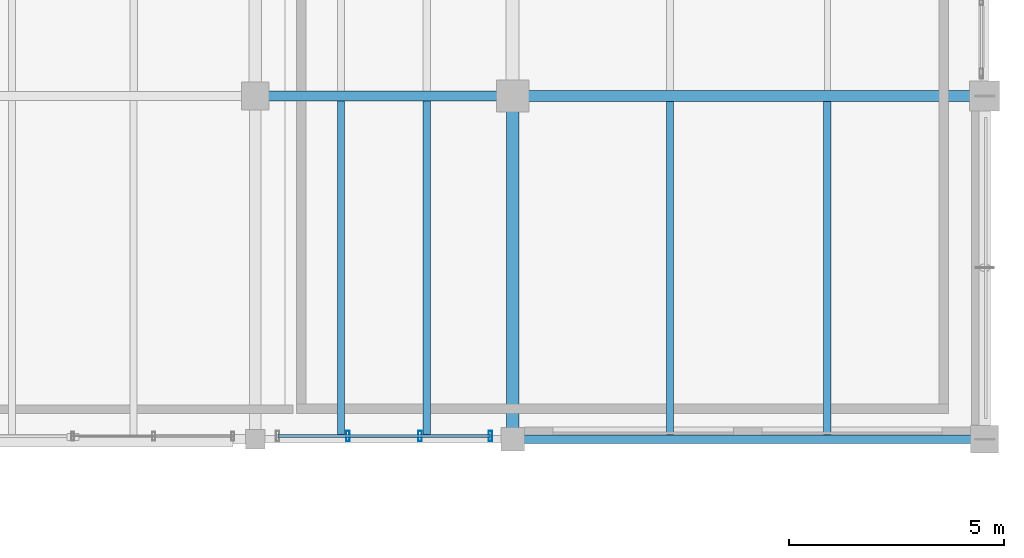
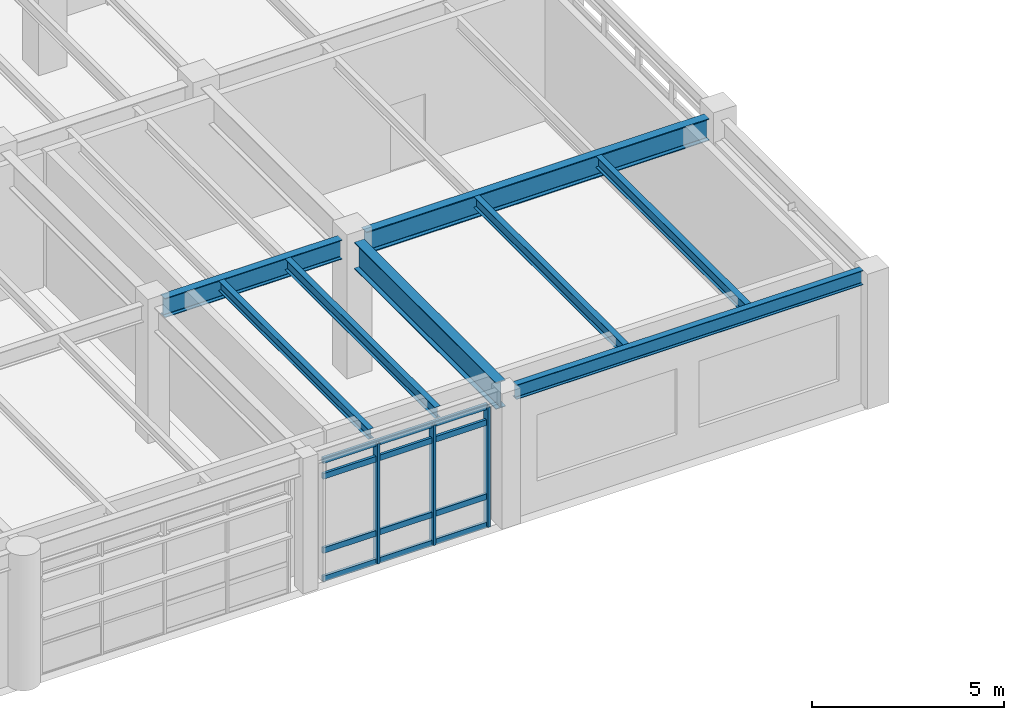
# One storey, part 115 of 168: 8 beams, 7 members, 1 element without a shape of its own.
"""IFC4 building model written with IfcOpenShell, lengths in metres."""

from ifc_helpers import new_model, si_unit, direction, frame, origin, origin_2d, place, context, subcontext, project, spatial, hollow_rectangle, i_section, extrude, material, material_profile, profile_set, type_object, element, aggregate, save


model = new_model("IFC4")

# Units and contexts
model_context = context("Model", 3, precision=1e-05, world=origin(), true_north=direction((0.0, 1.0)))
body_context = subcontext(model_context, "Body", "Model", "MODEL_VIEW")
ifc_project = project(units=[si_unit("LENGTHUNIT", "METRE"), si_unit("AREAUNIT", "SQUARE_METRE"), si_unit("VOLUMEUNIT", "CUBIC_METRE"), si_unit("PLANEANGLEUNIT", "RADIAN"), si_unit("MASSUNIT", "GRAM", prefix="KILO"), si_unit("THERMODYNAMICTEMPERATUREUNIT", "KELVIN"), si_unit("POWERUNIT", "WATT")], contexts=[model_context])

# Site, building, storey
site_placement = place(None, origin())
site = spatial("IfcSite", under=ifc_project, at=site_placement, CompositionType="ELEMENT")
building_placement = place(site_placement, origin())
building = spatial("IfcBuilding", under=site, at=building_placement, Name="Tepalcoro Natatorium and Aquatics Centre", CompositionType="ELEMENT")
storey_placement = place(building_placement, frame((0.0, 0.0, 10.199951171875)))
storey = spatial("IfcBuildingStorey", under=building, at=storey_placement, Name="L02", CompositionType="ELEMENT", Elevation=10.199951171875)

# Beams
ifc_material_1 = material(Name="Steel ASTM A992 Grade 50 (Fy 345 MPa)", Category="steel")
ifc_material_profile_1 = material_profile(ifc_material_1, i_section(OverallWidth=0.22998046875, OverallDepth=0.616943359375, WebThickness=0.012939453125, FlangeThickness=0.02197265625, FilletRadius=0.013916015625, at=origin_2d()), Name="W24X94")
ifc_profile_set_1 = profile_set([ifc_material_profile_1], Name="Steel ASTM A992 Grade 50 (Fy 345 MPa)")
beam_type_1 = type_object("IfcBeamType", Name="BM_W24x94", PredefinedType="BEAM", material=ifc_profile_set_1)
beam_1_placement = place(storey_placement, frame((159.31005859375, 94.0, 3.9765625), z_axis=(1.0, 0.0, 0.0), x_axis=(0.0, 1.0, 0.0)))
element("IfcBeam", 1, at=beam_1_placement, inside=storey, type_object=beam_type_1, Name="V5 L02 Grid Girder X", PredefinedType="BEAM", context=body_context, shape_type="SweptSolid", body=[
    extrude(i_section(OverallWidth=0.22998046875, OverallDepth=0.616943359375, WebThickness=0.012939453125, FlangeThickness=0.02197265625, FilletRadius=0.013916015625, at=origin_2d()), origin(), (0.0, 0.0, 1.0), 5.329833984375),
])
ifc_material_profile_2 = material_profile(ifc_material_1, i_section(OverallWidth=0.25390625, OverallDepth=0.700927734375, WebThickness=0.014892578125, FlangeThickness=0.028076171875, FilletRadius=0.013916015625, at=origin_2d()), Name="W27X129")
ifc_profile_set_2 = profile_set([ifc_material_profile_2], Name="Steel ASTM A992 Grade 50 (Fy 345 MPa)")
beam_type_2 = type_object("IfcBeamType", Name="BM_W27x129", PredefinedType="BEAM", material=ifc_profile_set_2)
beam_2_placement = place(storey_placement, frame((165.360107421875, 94.0, 3.9345703125), z_axis=(1.0, 0.0, 0.0), x_axis=(0.0, 1.0, 0.0)))
element("IfcBeam", 2, at=beam_2_placement, inside=storey, type_object=beam_type_2, Name="V5 L02 Grid Girder X", PredefinedType="BEAM", context=body_context, shape_type="SweptSolid", body=[
    extrude(i_section(OverallWidth=0.25390625, OverallDepth=0.700927734375, WebThickness=0.014892578125, FlangeThickness=0.028076171875, FilletRadius=0.013916015625, at=origin_2d()), origin(), (0.0, 0.0, 1.0), 10.304931640625),
])
ifc_material_profile_3 = material_profile(ifc_material_1, i_section(OverallWidth=0.2919921875, OverallDepth=0.845947265625, WebThickness=0.014892578125, FlangeThickness=0.02392578125, FilletRadius=0.013916015625, at=origin_2d()), Name="W33X141")
ifc_profile_set_3 = profile_set([ifc_material_profile_3], Name="Steel ASTM A992 Grade 50 (Fy 345 MPa)")
beam_type_3 = type_object("IfcBeamType", Name="BM_W33x141", PredefinedType="BEAM", material=ifc_profile_set_3)
beam_3_placement = place(storey_placement, frame((165.0, 86.260009765625, 3.862060546875), z_axis=(0.0, 1.0, 0.0), x_axis=(-1.0, 0.0, 0.0)))
element("IfcBeam", 3, at=beam_3_placement, inside=storey, type_object=beam_type_3, Name="V5 L02 Grid Girder Y", PredefinedType="BEAM", context=body_context, shape_type="SweptSolid", body=[
    extrude(i_section(OverallWidth=0.2919921875, OverallDepth=0.845947265625, WebThickness=0.014892578125, FlangeThickness=0.02392578125, FilletRadius=0.013916015625, at=origin_2d()), origin(), (0.0, 0.0, 1.0), 7.3798828125),
])

# Curtain wall, members
ifc_material_2 = material(Name="Bronze-Anodised Extruded Aluminium Alloy EN AW-6063 T6", Category="aluminium")
curtain_wall_type = type_object("IfcCurtainWallType", Name="CW_LEAN_T2_NS", PredefinedType="USERDEFINED", material=ifc_material_2)
curtain_wall_placement = place(storey_placement, origin())
curtain_wall = element("IfcCurtainWall", 4, at=curtain_wall_placement, inside=storey, type_object=curtain_wall_type, Name="V5 L02 S Unitised Curtain Wall Bay 8", ObjectType="FACETED SOLAR GLAZING", PredefinedType="USERDEFINED")
ifc_material_profile_4 = material_profile(ifc_material_2, hollow_rectangle(XDim=0.080078125, YDim=0.239990234375, WallThickness=0.0048828125, at=origin_2d()), Name="AL80X240X5")
ifc_profile_set_4 = profile_set([ifc_material_profile_4], Name="Bronze-Anodised Extruded Aluminium Alloy EN AW-6063 T6")
member_type_1 = type_object("IfcMemberType", Name="CW_MUL_80x240", PredefinedType="MULLION", material=ifc_profile_set_4)
member_1_placement = place(storey_placement, frame((161.159912109375, 86.076171875, 0.02001953125), z_axis=(0.0, 0.0, 1.0), x_axis=(1.0, 0.0, 0.0)))
member_1 = element("IfcMember", 5, at=member_1_placement, type_object=member_type_1, Name="CW_LEAN_T2_NS Curtain Wall Mullion", PredefinedType="MULLION", context=body_context, shape_type="SweptSolid", body=[
    extrude(hollow_rectangle(XDim=0.080078125, YDim=0.239990234375, WallThickness=0.0048828125, at=origin_2d()), origin(), (0.0, 0.0, 1.0), 3.817138671875),
])
member_2_placement = place(storey_placement, frame((162.840087890625, 86.076171875, 0.02001953125), z_axis=(0.0, 0.0, 1.0), x_axis=(1.0, 0.0, 0.0)))
member_2 = element("IfcMember", 6, at=member_2_placement, type_object=member_type_1, Name="CW_LEAN_T2_NS Curtain Wall Mullion", PredefinedType="MULLION", context=body_context, shape_type="SweptSolid", body=[
    extrude(hollow_rectangle(XDim=0.080078125, YDim=0.239990234375, WallThickness=0.0048828125, at=origin_2d()), origin(), (0.0, 0.0, 1.0), 3.817138671875),
])
member_3_placement = place(storey_placement, frame((164.47998046875, 86.076171875, 0.02001953125), z_axis=(0.0, 0.0, 1.0), x_axis=(1.0, 0.0, 0.0)))
member_3 = element("IfcMember", 7, at=member_3_placement, type_object=member_type_1, Name="CW_LEAN_T2_NS Curtain Wall Mullion", PredefinedType="MULLION", context=body_context, shape_type="SweptSolid", body=[
    extrude(hollow_rectangle(XDim=0.080078125, YDim=0.239990234375, WallThickness=0.0048828125, at=origin_2d()), origin(), (0.0, 0.0, 1.0), 3.817138671875),
])
ifc_material_profile_5 = material_profile(ifc_material_2, hollow_rectangle(XDim=0.080078125, YDim=0.179931640625, WallThickness=0.0048828125, at=origin_2d()), Name="AL80X180X5")
ifc_profile_set_5 = profile_set([ifc_material_profile_5], Name="Bronze-Anodised Extruded Aluminium Alloy EN AW-6063 T6")
member_type_2 = type_object("IfcMemberType", Name="CW_TRN_80x180", PredefinedType="USERDEFINED", material=ifc_profile_set_5)
member_4_placement = place(storey_placement, frame((159.530029296875, 86.076171875, 0.050048828125), z_axis=(1.0, 0.0, 0.0), x_axis=(0.0, 1.0, 0.0)))
member_4 = element("IfcMember", 8, at=member_4_placement, type_object=member_type_2, Name="CW_LEAN_T2_NS Curtain Wall Transom", ObjectType="TRANSOM", PredefinedType="USERDEFINED", context=body_context, shape_type="SweptSolid", body=[
    extrude(hollow_rectangle(XDim=0.080078125, YDim=0.179931640625, WallThickness=0.0048828125, at=origin_2d()), origin(), (0.0, 0.0, 1.0), 4.93994140625),
])
member_5_placement = place(storey_placement, frame((159.530029296875, 86.076171875, 0.949951171875), z_axis=(1.0, 0.0, 0.0), x_axis=(0.0, 1.0, 0.0)))
member_5 = element("IfcMember", 9, at=member_5_placement, type_object=member_type_2, Name="CW_LEAN_T2_NS Curtain Wall Transom", ObjectType="TRANSOM", PredefinedType="USERDEFINED", context=body_context, shape_type="SweptSolid", body=[
    extrude(hollow_rectangle(XDim=0.080078125, YDim=0.179931640625, WallThickness=0.0048828125, at=origin_2d()), origin(), (0.0, 0.0, 1.0), 4.93994140625),
])
member_6_placement = place(storey_placement, frame((159.530029296875, 86.076171875, 3.30712890625), z_axis=(1.0, 0.0, 0.0), x_axis=(0.0, 1.0, 0.0)))
member_6 = element("IfcMember", 10, at=member_6_placement, type_object=member_type_2, Name="CW_LEAN_T2_NS Curtain Wall Transom", ObjectType="TRANSOM", PredefinedType="USERDEFINED", context=body_context, shape_type="SweptSolid", body=[
    extrude(hollow_rectangle(XDim=0.080078125, YDim=0.179931640625, WallThickness=0.0048828125, at=origin_2d()), origin(), (0.0, 0.0, 1.0), 4.93994140625),
])
member_7_placement = place(storey_placement, frame((159.530029296875, 86.076171875, 3.80712890625), z_axis=(1.0, 0.0, 0.0), x_axis=(0.0, 1.0, 0.0)))
member_7 = element("IfcMember", 11, at=member_7_placement, type_object=member_type_2, Name="CW_LEAN_T2_NS Curtain Wall Transom", ObjectType="TRANSOM", PredefinedType="USERDEFINED", context=body_context, shape_type="SweptSolid", body=[
    extrude(hollow_rectangle(XDim=0.080078125, YDim=0.179931640625, WallThickness=0.0048828125, at=origin_2d()), origin(), (0.0, 0.0, 1.0), 4.93994140625),
])
aggregate(curtain_wall, [member_1, member_2, member_3, member_4, member_5, member_6, member_7])

# Beams
ifc_material_profile_6 = material_profile(ifc_material_1, i_section(OverallWidth=0.1669921875, OverallDepth=0.318115234375, WebThickness=0.008056640625, FlangeThickness=0.012939453125, FilletRadius=0.013916015625, at=origin_2d()), Name="W12X35")
ifc_profile_set_6 = profile_set([ifc_material_profile_6], Name="Steel ASTM A992 Grade 50 (Fy 345 MPa)")
beam_type_4 = type_object("IfcBeamType", Name="JS_W12x35", PredefinedType="JOIST", material=ifc_profile_set_6)
beam_4_placement = place(storey_placement, frame((161.0, 86.090087890625, 4.1259765625), z_axis=(0.0, 1.0, 0.0), x_axis=(-1.0, 0.0, 0.0)))
element("IfcBeam", 12, at=beam_4_placement, inside=storey, type_object=beam_type_4, Name="V5 L02 Floor Joist", PredefinedType="JOIST", context=body_context, shape_type="SweptSolid", body=[
    extrude(i_section(OverallWidth=0.1669921875, OverallDepth=0.318115234375, WebThickness=0.008056640625, FlangeThickness=0.012939453125, FilletRadius=0.013916015625, at=origin_2d()), origin(), (0.0, 0.0, 1.0), 7.794921875),
])
ifc_material_profile_7 = material_profile(ifc_material_1, i_section(OverallWidth=0.1708984375, OverallDepth=0.35107421875, WebThickness=0.007080078125, FlangeThickness=0.010009765625, FilletRadius=0.013916015625, at=origin_2d()), Name="W14X30")
ifc_profile_set_7 = profile_set([ifc_material_profile_7], Name="Steel ASTM A992 Grade 50 (Fy 345 MPa)")
beam_type_5 = type_object("IfcBeamType", Name="JS_W14x30", PredefinedType="JOIST", material=ifc_profile_set_7)
beam_5_placement = place(storey_placement, frame((163.0, 86.090087890625, 4.109619140625), z_axis=(0.0, 1.0, 0.0), x_axis=(-1.0, 0.0, 0.0)))
element("IfcBeam", 13, at=beam_5_placement, inside=storey, type_object=beam_type_5, Name="V5 L02 Floor Joist", PredefinedType="JOIST", context=body_context, shape_type="SweptSolid", body=[
    extrude(i_section(OverallWidth=0.1708984375, OverallDepth=0.35107421875, WebThickness=0.007080078125, FlangeThickness=0.010009765625, FilletRadius=0.013916015625, at=origin_2d()), origin(), (0.0, 0.0, 1.0), 7.794921875),
])
beam_6_placement = place(storey_placement, frame((168.666748046875, 86.095458984375, 4.109619140625), z_axis=(0.0, 1.0, 0.0), x_axis=(-1.0, 0.0, 0.0)))
element("IfcBeam", 14, at=beam_6_placement, inside=storey, type_object=beam_type_5, Name="V5 L02 Floor Joist", PredefinedType="JOIST", context=body_context, shape_type="SweptSolid", body=[
    extrude(i_section(OverallWidth=0.1708984375, OverallDepth=0.35107421875, WebThickness=0.007080078125, FlangeThickness=0.010009765625, FilletRadius=0.013916015625, at=origin_2d()), origin(), (0.0, 0.0, 1.0), 7.777587890625),
])
ifc_material_profile_8 = material_profile(ifc_material_1, i_section(OverallWidth=0.172119140625, OverallDepth=0.35791015625, WebThickness=0.008056640625, FlangeThickness=0.012939453125, FilletRadius=0.013916015625, at=origin_2d()), Name="W14X38")
ifc_profile_set_8 = profile_set([ifc_material_profile_8], Name="Steel ASTM A992 Grade 50 (Fy 345 MPa)")
beam_type_6 = type_object("IfcBeamType", Name="JS_W14x38", PredefinedType="JOIST", material=ifc_profile_set_8)
beam_7_placement = place(storey_placement, frame((172.333251953125, 86.095458984375, 4.10595703125), z_axis=(0.0, 1.0, 0.0), x_axis=(-1.0, 0.0, 0.0)))
element("IfcBeam", 15, at=beam_7_placement, inside=storey, type_object=beam_type_6, Name="V5 L02 Floor Joist", PredefinedType="JOIST", context=body_context, shape_type="SweptSolid", body=[
    extrude(i_section(OverallWidth=0.172119140625, OverallDepth=0.35791015625, WebThickness=0.008056640625, FlangeThickness=0.012939453125, FilletRadius=0.013916015625, at=origin_2d()), origin(), (0.0, 0.0, 1.0), 7.777587890625),
])
ifc_material_profile_9 = material_profile(ifc_material_1, i_section(OverallWidth=0.19091796875, OverallDepth=0.4599609375, WebThickness=0.010009765625, FlangeThickness=0.01611328125, FilletRadius=0.013916015625, at=origin_2d()), Name="W18X55")
ifc_profile_set_9 = profile_set([ifc_material_profile_9], Name="Steel ASTM A992 Grade 50 (Fy 345 MPa)")
beam_type_7 = type_object("IfcBeamType", Name="SP_W18x55", PredefinedType="SPANDREL", material=ifc_profile_set_9)
beam_8_placement = place(storey_placement, frame((165.260009765625, 86.0, 4.054931640625), z_axis=(1.0, 0.0, 0.0), x_axis=(0.0, 1.0, 0.0)))
element("IfcBeam", 16, at=beam_8_placement, inside=storey, type_object=beam_type_7, Name="V5 L02 Grid Girder X", PredefinedType="SPANDREL", context=body_context, shape_type="SweptSolid", body=[
    extrude(i_section(OverallWidth=0.19091796875, OverallDepth=0.4599609375, WebThickness=0.010009765625, FlangeThickness=0.01611328125, FilletRadius=0.013916015625, at=origin_2d()), origin(), (0.0, 0.0, 1.0), 10.429931640625),
])

save(model, "model.ifc")
